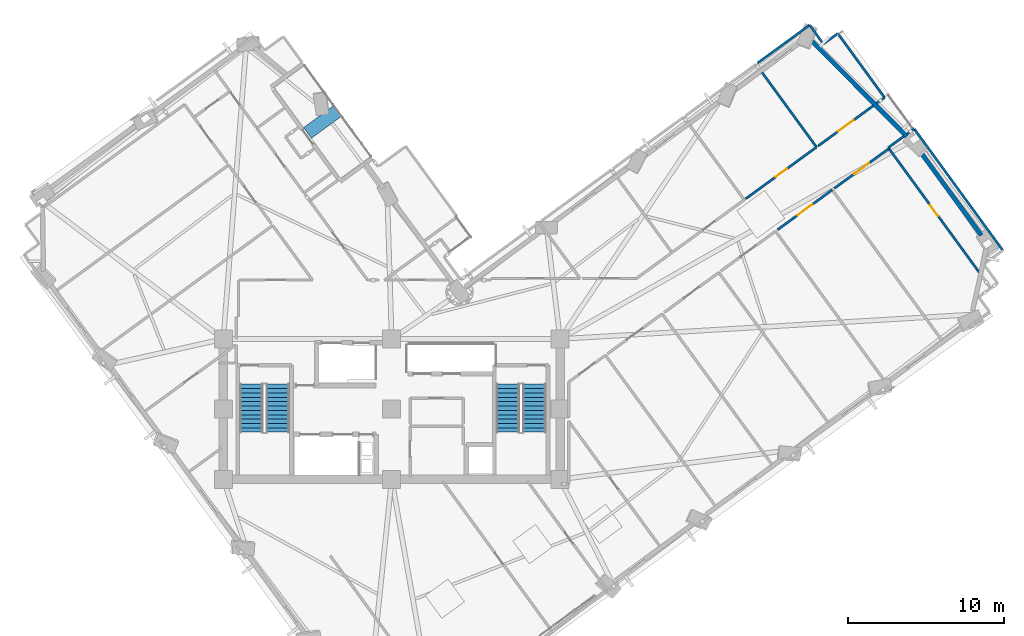
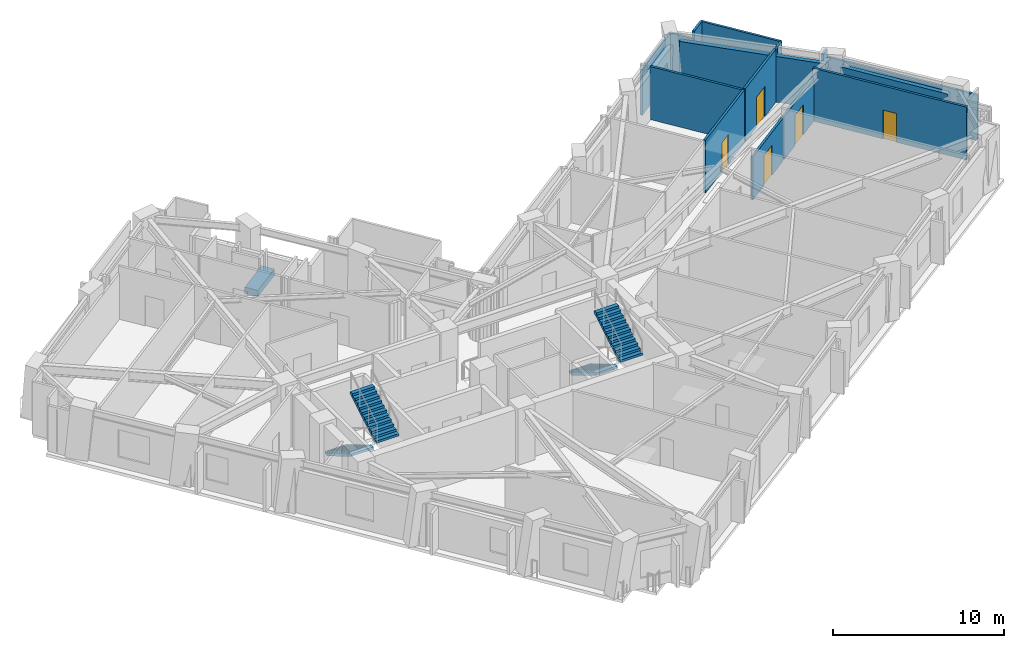
# One storey, part 9 of 14: 16 walls, 5 doors, 4 stair flights, 1 discrete accessory, 5 openings, 2 elements without a shape of their own.
"""IFC4 building model written with IfcOpenShell, lengths in metres."""

from ifc_helpers import new_model, si_unit, direction, frame, frame_2d, origin, origin_2d, place, context, subcontext, project, spatial, polyline, rectangle, outline, extrude, material, layer, layer_set, type_object, element, fill, aggregate, save


model = new_model("IFC4")

# Units and contexts
model_context = context("Model", 3, precision=1e-05, world=origin(), true_north=direction((0.0, 1.0)))
body_context = subcontext(model_context, "Body", "Model", "MODEL_VIEW")
ifc_project = project(units=[si_unit("LENGTHUNIT", "METRE"), si_unit("AREAUNIT", "SQUARE_METRE"), si_unit("VOLUMEUNIT", "CUBIC_METRE"), si_unit("PLANEANGLEUNIT", "RADIAN"), si_unit("MASSUNIT", "GRAM", prefix="KILO")], contexts=[model_context])

# Site, building, storey
site_placement = place(None, origin())
site = spatial("IfcSite", under=ifc_project, at=site_placement, CompositionType="ELEMENT")
building_placement = place(site_placement, origin())
building = spatial("IfcBuilding", under=site, at=building_placement, Name="Gaonmaruhae Medical Tower", CompositionType="ELEMENT")
storey_placement = place(building_placement, frame((0.0, 0.0, 177.800048828125)))
storey = spatial("IfcBuildingStorey", under=building, at=storey_placement, Name="L42", CompositionType="ELEMENT", Elevation=177.800048828125)

# Walls
ifc_material_1 = material(Name="Precast concrete C45/55", Category="concrete")
ifc_layer_1 = layer(ifc_material_1, 0.280029296875)
ifc_layer_set_1 = layer_set([ifc_layer_1], Name="Precast concrete C45/55")
wall_type_1 = type_object("IfcWallType", Name="EW-280 Upper Precast Masonry-Frame Facade Wall", PredefinedType="SOLIDWALL", material=ifc_layer_set_1)
wall_1_placement = place(storey_placement, frame((58.587890625, 28.97509765625, 0.0), z_axis=(0.0, 0.0, 1.0), x_axis=(0.589215364112, -0.807976023589, 0.0)))
element("IfcWall", 1, at=wall_1_placement, inside=storey, type_object=wall_type_1, Name="L42 Precast Masonry-Frame Wall E01-E02", PredefinedType="SOLIDWALL", context=body_context, shape_type="SweptSolid", body=[
    extrude(rectangle(XDim=6.840087890625, YDim=0.280029296875, at=frame_2d((3.419921875, 0.0))), origin(), (0.0, 0.0, 1.0), 3.264892578125),
])
wall_2_placement = place(storey_placement, frame((51.71240234375, 35.94189453125, 0.0), z_axis=(0.0, 0.0, 1.0), x_axis=(0.705765695185, -0.708445328519, 0.0)))
element("IfcWall", 2, at=wall_2_placement, inside=storey, type_object=wall_type_1, Name="L42 Precast Masonry-Frame Wall E02-E03", PredefinedType="SOLIDWALL", context=body_context, shape_type="SweptSolid", body=[
    extrude(rectangle(XDim=8.837646484375, YDim=0.280029296875, at=frame_2d((4.4189453125, 0.0))), origin(), (0.0, 0.0, 1.0), 3.264892578125),
])

# Wall, opening, door
ifc_material_2 = material(Name="Gypsum board partition", Category="gypsum")
ifc_layer_2 = layer(ifc_material_2, 0.14990234375)
ifc_layer_set_2 = layer_set([ifc_layer_2], Name="Gypsum board partition")
wall_type_2 = type_object("IfcWallType", Name="PW-150 Rated Clinical Corridor Partition", PredefinedType="PARTITIONING", material=ifc_layer_set_2)
wall_3_placement = place(storey_placement, frame((49.548095703125, 23.805908203125, 0.0), z_axis=(0.0, 0.0, 1.0), x_axis=(0.808000835419, 0.589181338776, 0.0)))
wall_3 = element("IfcWall", 3, at=wall_3_placement, inside=storey, type_object=wall_type_2, Name="L42 Interior Partition L42-SUP10-31", PredefinedType="PARTITIONING", context=body_context, shape_type="SweptSolid", body=[
    extrude(rectangle(XDim=4.340087890625, YDim=0.14990234375, at=frame_2d((2.169921875, 0.0))), origin(), (0.0, 0.0, 1.0), 3.06494140625),
])
opening_1_placement = place(wall_3_placement, frame((1.570068359375, 0.0, 0.0)))
opening_1 = element("IfcOpeningElement", 4, at=opening_1_placement, cuts=wall_3, Name="Opening CD-02", PredefinedType="OPENING", context=body_context, shape_type="SweptSolid", body=[
    extrude(rectangle(XDim=1.199951171875, YDim=2.14990234375, at=frame_2d((0.60009765625, 1.074951171875))), frame((0.0, 0.0849609375, 0.0), z_axis=(0.0, -1.0, 0.0), x_axis=(1.0, 0.0, 0.0)), (0.0, 0.0, 1.0), 0.169921875),
])
ifc_material_3 = material(Name="Antimicrobial laminate timber fire door", Category="wood")
door_type_1 = type_object("IfcDoorType", Name="CD-02 Clinical Treatment & Procedure Door 1200x2150", OperationType="NOTDEFINED", PredefinedType="DOOR", material=ifc_material_3)
door_1_placement = place(opening_1_placement, origin())
door_1 = element("IfcDoor", 5, at=door_1_placement, inside=storey, type_object=door_type_1, Name="L42 Clinical Biomedical Charting Office Door", OperationType="SINGLE_SWING_RIGHT", OverallHeight=2.14990234375, OverallWidth=1.199951171875, PredefinedType="DOOR", context=body_context, shape_type="SweptSolid", body=[
    extrude(rectangle(XDim=1.199951171875, YDim=2.14990234375, at=frame_2d((0.60009765625, 1.074951171875))), frame((0.0, 0.02490234375, 0.0), z_axis=(0.0, -1.0, 0.0), x_axis=(1.0, 0.0, 0.0)), (0.0, 0.0, 1.0), 0.050048828125),
])
fill(opening_1, door_1)

wall_4_placement = place(storey_placement, frame((53.18408203125, 26.45703125, 0.0), z_axis=(0.0, 0.0, 1.0), x_axis=(0.808027614648, 0.5891446121, 0.0)))
wall_4 = element("IfcWall", 6, at=wall_4_placement, inside=storey, type_object=wall_type_2, Name="L42 Interior Partition L42-SUP11-34", PredefinedType="PARTITIONING", context=body_context, shape_type="SweptSolid", body=[
    extrude(rectangle(XDim=4.340087890625, YDim=0.14990234375, at=frame_2d((2.169921875, 0.0))), origin(), (0.0, 0.0, 1.0), 3.06494140625),
])
opening_2_placement = place(wall_4_placement, frame((1.570068359375, 0.0, 0.0)))
opening_2 = element("IfcOpeningElement", 7, at=opening_2_placement, cuts=wall_4, Name="Opening CD-02", PredefinedType="OPENING", context=body_context, shape_type="SweptSolid", body=[
    extrude(rectangle(XDim=1.199951171875, YDim=2.14990234375, at=frame_2d((0.60009765625, 1.074951171875))), frame((0.0, 0.0849609375, 0.0), z_axis=(0.0, -1.0, 0.0), x_axis=(1.0, 0.0, 0.0)), (0.0, 0.0, 1.0), 0.169921875),
])
door_2_placement = place(opening_2_placement, origin())
door_2 = element("IfcDoor", 8, at=door_2_placement, inside=storey, type_object=door_type_1, Name="L42 Clinical Biomedical Charting Office Door", OperationType="SINGLE_SWING_LEFT", OverallHeight=2.14990234375, OverallWidth=1.199951171875, PredefinedType="DOOR", context=body_context, shape_type="SweptSolid", body=[
    extrude(rectangle(XDim=1.199951171875, YDim=2.14990234375, at=frame_2d((0.60009765625, 1.074951171875))), frame((0.0, 0.02490234375, 0.0), z_axis=(0.0, -1.0, 0.0), x_axis=(1.0, 0.0, 0.0)), (0.0, 0.0, 1.0), 0.050048828125),
])
fill(opening_2, door_2)

wall_5_placement = place(storey_placement, frame((56.69091796875, 29.013916015625, 0.0), z_axis=(0.0, 0.0, 1.0), x_axis=(0.589193100836, -0.807992258582, 0.0)))
wall_5 = element("IfcWall", 9, at=wall_5_placement, inside=storey, type_object=wall_type_2, Name="L42 Interior Partition L42-SUP11-35", PredefinedType="PARTITIONING", context=body_context, shape_type="SweptSolid", body=[
    extrude(rectangle(XDim=9.830322265625, YDim=0.14990234375, at=frame_2d((4.9150390625, 0.0))), origin(), (0.0, 0.0, 1.0), 3.780029296875),
])
opening_3_placement = place(wall_5_placement, frame((4.485107421875, 0.0, 0.0)))
opening_3 = element("IfcOpeningElement", 10, at=opening_3_placement, cuts=wall_5, Name="Opening AD-01", PredefinedType="OPENING", context=body_context, shape_type="SweptSolid", body=[
    extrude(rectangle(XDim=0.860107421875, YDim=2.06005859375, at=frame_2d((0.43017578125, 1.030029296875))), frame((0.0, 0.0849609375, 0.0), z_axis=(0.0, -1.0, 0.0), x_axis=(1.0, 0.0, 0.0)), (0.0, 0.0, 1.0), 0.169921875),
])
ifc_material_4 = material(Name="Powder-coated steel access door", Category="steel")
door_type_2 = type_object("IfcDoorType", Name="AD-01 Riser & Closet Access Fire Door 860x2060", OperationType="NOTDEFINED", PredefinedType="DOOR", material=ifc_material_4)
door_3_placement = place(opening_3_placement, origin())
door_3 = element("IfcDoor", 11, at=door_3_placement, inside=storey, type_object=door_type_2, Name="L42 Clinical Case Review Office Sliding Door", OperationType="SLIDING_TO_LEFT", OverallHeight=2.06005859375, OverallWidth=0.860107421875, PredefinedType="DOOR", context=body_context, shape_type="SweptSolid", body=[
    extrude(rectangle(XDim=0.860107421875, YDim=2.06005859375, at=frame_2d((0.43017578125, 1.030029296875))), frame((0.0, 0.02490234375, 0.0), z_axis=(0.0, -1.0, 0.0), x_axis=(1.0, 0.0, 0.0)), (0.0, 0.0, 1.0), 0.050048828125),
])
fill(opening_3, door_3)

wall_6_placement = place(storey_placement, frame((52.0458984375, 29.10498046875, 0.0), z_axis=(0.0, 0.0, 1.0), x_axis=(-0.807964856264, -0.589230677275, 0.0)))
wall_6 = element("IfcWall", 12, at=wall_6_placement, inside=storey, type_object=wall_type_2, Name="L42 Interior Partition L42-IE05-88", PredefinedType="PARTITIONING", context=body_context, shape_type="SweptSolid", body=[
    extrude(rectangle(XDim=5.61767578125, YDim=0.14990234375, at=frame_2d((2.808837890625, 0.0))), origin(), (0.0, 0.0, 1.0), 3.780029296875),
])
opening_4_placement = place(wall_6_placement, frame((2.348876953125, 0.0, 0.0)))
opening_4 = element("IfcOpeningElement", 13, at=opening_4_placement, cuts=wall_6, Name="Opening UD-01", PredefinedType="OPENING", context=body_context, shape_type="SweptSolid", body=[
    extrude(rectangle(XDim=0.919921875, YDim=2.10009765625, at=frame_2d((0.4599609375, 1.050048828125))), frame((0.0, 0.0849609375, 0.0), z_axis=(0.0, -1.0, 0.0), x_axis=(1.0, 0.0, 0.0)), (0.0, 0.0, 1.0), 0.169921875),
])
ifc_material_5 = material(Name="Powder-coated steel utility door", Category="steel")
door_type_3 = type_object("IfcDoorType", Name="UD-01 Toilet, Utility & Housekeeping Door 920x2100", OperationType="NOTDEFINED", PredefinedType="DOOR", material=ifc_material_5)
door_4_placement = place(opening_4_placement, origin())
door_4 = element("IfcDoor", 14, at=door_4_placement, inside=storey, type_object=door_type_3, Name="L42 Ward Housekeeping and Linen Store Door", OperationType="SINGLE_SWING_LEFT", OverallHeight=2.10009765625, OverallWidth=0.919921875, PredefinedType="DOOR", context=body_context, shape_type="SweptSolid", body=[
    extrude(rectangle(XDim=0.919921875, YDim=2.10009765625, at=frame_2d((0.4599609375, 1.050048828125))), frame((0.0, 0.02490234375, 0.0), z_axis=(0.0, -1.0, 0.0), x_axis=(1.0, 0.0, 0.0)), (0.0, 0.0, 1.0), 0.050048828125),
])
fill(opening_4, door_4)

# Walls
wall_7_placement = place(storey_placement, frame((48.554931640625, 33.89208984375, 0.0), z_axis=(0.0, 0.0, 1.0), x_axis=(0.58921251088, -0.807978104296, 0.0)))
element("IfcWall", 15, at=wall_7_placement, inside=storey, type_object=wall_type_2, Name="L42 Interior Partition L42-IE05-91", PredefinedType="PARTITIONING", context=body_context, shape_type="SweptSolid", body=[
    extrude(rectangle(XDim=5.9248046875, YDim=0.14990234375, at=frame_2d((2.96240234375, 0.0))), origin(), (0.0, 0.0, 1.0), 3.780029296875),
])
wall_8_placement = place(storey_placement, frame((52.489013671875, 35.72705078125, 0.0), z_axis=(0.0, 0.0, 1.0), x_axis=(0.807846068896, 0.589393526406, 0.0)))
element("IfcWall", 16, at=wall_8_placement, inside=storey, type_object=wall_type_2, Name="L42 Interior Partition L42-IE06-92", PredefinedType="PARTITIONING", context=body_context, shape_type="SweptSolid", body=[
    extrude(rectangle(XDim=1.139892578125, YDim=0.14990234375, at=frame_2d((0.56982421875, 0.0))), origin(), (0.0, 0.0, 1.0), 3.780029296875),
])
wall_9_placement = place(storey_placement, frame((53.409912109375, 36.39892578125, 0.0), z_axis=(0.0, 0.0, 1.0), x_axis=(0.589163676768, -0.808013713978, 0.0)))
element("IfcWall", 17, at=wall_9_placement, inside=storey, type_object=wall_type_2, Name="L42 Interior Partition L42-IE06-93", PredefinedType="PARTITIONING", context=body_context, shape_type="SweptSolid", body=[
    extrude(rectangle(XDim=5.09033203125, YDim=0.14990234375, at=frame_2d((2.545166015625, 0.0))), origin(), (0.0, 0.0, 1.0), 3.780029296875),
])
wall_10_placement = place(storey_placement, frame((56.408935546875, 32.285888671875, 0.0), z_axis=(0.0, 0.0, 1.0), x_axis=(-0.807943178847, -0.589260400633, 0.0)))
element("IfcWall", 18, at=wall_10_placement, inside=storey, type_object=wall_type_2, Name="L42 Interior Partition L42-IE06-94", PredefinedType="PARTITIONING", context=body_context, shape_type="SweptSolid", body=[
    extrude(rectangle(XDim=0.6396484375, YDim=0.14990234375, at=frame_2d((0.31982421875, 0.0))), origin(), (0.0, 0.0, 1.0), 3.780029296875),
])

# Wall, opening, door
wall_11_placement = place(storey_placement, frame((55.7041015625, 31.77197265625, 0.0), z_axis=(0.0, 0.0, 1.0), x_axis=(-0.80804817544, -0.589116411389, 0.0)))
wall_11 = element("IfcWall", 19, at=wall_11_placement, inside=storey, type_object=wall_type_2, Name="L42 Interior Partition L42-IE06-95", PredefinedType="PARTITIONING", context=body_context, shape_type="SweptSolid", body=[
    extrude(rectangle(XDim=4.408203125, YDim=0.14990234375, at=frame_2d((2.2041015625, 0.0))), origin(), (0.0, 0.0, 1.0), 3.780029296875),
])
opening_5_placement = place(wall_11_placement, frame((1.60400390625, 0.0, 0.0)))
opening_5 = element("IfcOpeningElement", 20, at=opening_5_placement, cuts=wall_11, Name="Opening CD-02", PredefinedType="OPENING", context=body_context, shape_type="SweptSolid", body=[
    extrude(rectangle(XDim=1.199951171875, YDim=2.14990234375, at=frame_2d((0.60009765625, 1.074951171875))), frame((0.0, 0.0849609375, 0.0), z_axis=(0.0, -1.0, 0.0), x_axis=(1.0, 0.0, 0.0)), (0.0, 0.0, 1.0), 0.169921875),
])
door_5_placement = place(opening_5_placement, origin())
door_5 = element("IfcDoor", 21, at=door_5_placement, inside=storey, type_object=door_type_1, Name="L42 Multidisciplinary Clinical Consultation Room Door", OperationType="SINGLE_SWING_LEFT", OverallHeight=2.14990234375, OverallWidth=1.199951171875, PredefinedType="DOOR", context=body_context, shape_type="SweptSolid", body=[
    extrude(rectangle(XDim=1.199951171875, YDim=2.14990234375, at=frame_2d((0.60009765625, 1.074951171875))), frame((0.0, 0.02490234375, 0.0), z_axis=(0.0, -1.0, 0.0), x_axis=(1.0, 0.0, 0.0)), (0.0, 0.0, 1.0), 0.050048828125),
])
fill(opening_5, door_5)

# Walls
wall_12_placement = place(storey_placement, frame((48.260009765625, 34.5, 0.0), z_axis=(0.0, 0.0, 1.0), x_axis=(0.80801630368, 0.589160125083, 0.0)))
element("IfcWall", 22, at=wall_12_placement, inside=storey, type_object=wall_type_2, Name="L42 Interior Partition L42-IE06-96", PredefinedType="PARTITIONING", context=body_context, shape_type="SweptSolid", body=[
    extrude(rectangle(XDim=4.1396484375, YDim=0.14990234375, at=frame_2d((2.06982421875, 0.0))), origin(), (0.0, 0.0, 1.0), 3.264892578125),
])
wall_13_placement = place(storey_placement, frame((51.60498046875, 36.93896484375, 0.0), z_axis=(0.0, 0.0, 1.0), x_axis=(0.589322677246, -0.807897754722, 0.0)))
element("IfcWall", 23, at=wall_13_placement, inside=storey, type_object=wall_type_2, Name="L42 Interior Partition L42-IE06-97", PredefinedType="PARTITIONING", context=body_context, shape_type="SweptSolid", body=[
    extrude(rectangle(XDim=1.5, YDim=0.14990234375, at=frame_2d((0.75, 0.0))), origin(), (0.0, 0.0, 1.0), 3.264892578125),
])
wall_14_placement = place(storey_placement, frame((56.64990234375, 29.071044921875, 0.0), z_axis=(0.0, 0.0, 1.0), x_axis=(0.808052040035, 0.589111110569, 0.0)))
element("IfcWall", 24, at=wall_14_placement, inside=storey, type_object=wall_type_2, Name="L42 Interior Partition L42-RM05-123", PredefinedType="PARTITIONING", context=body_context, shape_type="SweptSolid", body=[
    extrude(rectangle(XDim=1.251220703125, YDim=0.14990234375, at=frame_2d((0.62548828125, 0.0))), origin(), (0.0, 0.0, 1.0), 3.06494140625),
])
wall_15_placement = place(storey_placement, frame((57.84912109375, 29.945068359375, 0.0), z_axis=(0.0, 0.0, 1.0), x_axis=(0.808074872367, 0.589079791411, 0.0)))
element("IfcWall", 25, at=wall_15_placement, inside=storey, type_object=wall_type_2, Name="L42 Interior Partition L42-RM05-124", PredefinedType="PARTITIONING", context=body_context, shape_type="SweptSolid", body=[
    extrude(rectangle(XDim=0.5751953125, YDim=0.14990234375, at=frame_2d((0.28759765625, 0.0))), origin(), (0.0, 0.0, 1.0), 3.780029296875),
])
wall_16_placement = place(storey_placement, frame((58.31396484375, 30.283935546875, 0.0), z_axis=(0.0, 0.0, 1.0), x_axis=(0.589175591652, -0.8080050261, 0.0)))
element("IfcWall", 26, at=wall_16_placement, inside=storey, type_object=wall_type_2, Name="L42 Interior Partition L42-RM05-125", PredefinedType="PARTITIONING", context=body_context, shape_type="SweptSolid", body=[
    extrude(rectangle(XDim=9.66943359375, YDim=0.14990234375, at=frame_2d((4.834716796875, 0.0))), origin(), (0.0, 0.0, 1.0), 3.264892578125),
])

# Stair, stair flights
ifc_material_6 = material(Name="Concrete C40/50", Category="concrete")
stair_type = type_object("IfcStairType", Name="ST-T1 Primary Core Escape Dogleg Stair", PredefinedType="TWO_QUARTER_TURN_STAIR", material=ifc_material_6)
stair_1_placement = place(storey_placement, origin())
stair_1 = element("IfcStair", 27, at=stair_1_placement, inside=storey, type_object=stair_type, Name="L42 Protected Escape Stair ST-01", PredefinedType="TWO_QUARTER_TURN_STAIR")
stair_flight_type = type_object("IfcStairFlightType", Name="SF-T1 Primary Core Precast Stair Flight", PredefinedType="STRAIGHT", material=ifc_material_6)
stair_flight_1_placement = place(storey_placement, frame((15.800048828125, 13.89990234375, 0.0), z_axis=(0.0, 0.0, 1.0), x_axis=(0.0, -1.0, 0.0)))
stair_flight_1 = element("IfcStairFlight", 28, at=stair_flight_1_placement, type_object=stair_flight_type, Name="ST-01 flight 1", NumberOfRisers=12, NumberOfTreads=11, PredefinedType="STRAIGHT", RiserHeight=0.166666667, TreadLength=0.28, context=body_context, shape_type="SweptSolid", body=[
    extrude(outline(polyline([(0.0, 0.0), (0.0, 0.166748046875), (0.280029296875, 0.166748046875), (0.280029296875, 0.333251953125), (0.56005859375, 0.333251953125), (0.56005859375, 0.5), (0.840087890625, 0.5), (0.840087890625, 0.666748046875), (1.1201171875, 0.666748046875), (1.1201171875, 0.833251953125), (1.39990234375, 0.833251953125), (1.39990234375, 1.0), (1.679931640625, 1.0), (1.679931640625, 1.166748046875), (1.9599609375, 1.166748046875), (1.9599609375, 1.333251953125), (2.239990234375, 1.333251953125), (2.239990234375, 1.5), (2.52001953125, 1.5), (2.52001953125, 1.666748046875), (2.800048828125, 1.666748046875), (2.800048828125, 1.833251953125), (3.080078125, 1.833251953125), (3.080078125, 2.0), (3.080078125, 1.658935546875), (0.29296875, 0.0), (0.0, 0.0)])), frame((0.0, 0.75, 0.0), z_axis=(0.0, -1.0, 0.0), x_axis=(1.0, 0.0, 0.0)), (0.0, 0.0, 1.0), 1.5),
])
stair_flight_2_placement = place(storey_placement, frame((17.5, 10.820068359375, 2.0), z_axis=(0.0, 0.0, 1.0), x_axis=(0.0, 1.0, 0.0)))
stair_flight_2 = element("IfcStairFlight", 29, at=stair_flight_2_placement, type_object=stair_flight_type, Name="ST-01 flight 2", NumberOfRisers=12, NumberOfTreads=11, PredefinedType="STRAIGHT", RiserHeight=0.166666667, TreadLength=0.28, context=body_context, shape_type="SweptSolid", body=[
    extrude(outline(polyline([(0.0, 0.0), (0.0, 0.166748046875), (0.280029296875, 0.166748046875), (0.280029296875, 0.333251953125), (0.56005859375, 0.333251953125), (0.56005859375, 0.5), (0.840087890625, 0.5), (0.840087890625, 0.666748046875), (1.1201171875, 0.666748046875), (1.1201171875, 0.833251953125), (1.39990234375, 0.833251953125), (1.39990234375, 1.0), (1.679931640625, 1.0), (1.679931640625, 1.166748046875), (1.9599609375, 1.166748046875), (1.9599609375, 1.333251953125), (2.239990234375, 1.333251953125), (2.239990234375, 1.5), (2.52001953125, 1.5), (2.52001953125, 1.666748046875), (2.800048828125, 1.666748046875), (2.800048828125, 1.833251953125), (3.080078125, 1.833251953125), (3.080078125, 2.0), (3.080078125, 1.658935546875), (0.29296875, 0.0), (0.0, 0.0)])), frame((0.0, 0.75, 0.0), z_axis=(0.0, -1.0, 0.0), x_axis=(1.0, 0.0, 0.0)), (0.0, 0.0, 1.0), 1.5),
])
aggregate(stair_1, [stair_flight_1, stair_flight_2])

stair_2_placement = place(storey_placement, origin())
stair_2 = element("IfcStair", 30, at=stair_2_placement, inside=storey, type_object=stair_type, Name="L42 Protected Escape Stair ST-02", PredefinedType="TWO_QUARTER_TURN_STAIR")
stair_flight_3_placement = place(storey_placement, frame((32.25, 13.89990234375, 0.0), z_axis=(0.0, 0.0, 1.0), x_axis=(0.0, -1.0, 0.0)))
stair_flight_3 = element("IfcStairFlight", 31, at=stair_flight_3_placement, type_object=stair_flight_type, Name="ST-02 flight 1", NumberOfRisers=12, NumberOfTreads=11, PredefinedType="STRAIGHT", RiserHeight=0.166666667, TreadLength=0.28, context=body_context, shape_type="SweptSolid", body=[
    extrude(outline(polyline([(0.0, 0.0), (0.0, 0.166748046875), (0.280029296875, 0.166748046875), (0.280029296875, 0.333251953125), (0.56005859375, 0.333251953125), (0.56005859375, 0.5), (0.840087890625, 0.5), (0.840087890625, 0.666748046875), (1.1201171875, 0.666748046875), (1.1201171875, 0.833251953125), (1.39990234375, 0.833251953125), (1.39990234375, 1.0), (1.679931640625, 1.0), (1.679931640625, 1.166748046875), (1.9599609375, 1.166748046875), (1.9599609375, 1.333251953125), (2.239990234375, 1.333251953125), (2.239990234375, 1.5), (2.52001953125, 1.5), (2.52001953125, 1.666748046875), (2.800048828125, 1.666748046875), (2.800048828125, 1.833251953125), (3.080078125, 1.833251953125), (3.080078125, 2.0), (3.080078125, 1.658935546875), (0.29296875, 0.0), (0.0, 0.0)])), frame((0.0, 0.75, 0.0), z_axis=(0.0, -1.0, 0.0), x_axis=(1.0, 0.0, 0.0)), (0.0, 0.0, 1.0), 1.5),
])
stair_flight_4_placement = place(storey_placement, frame((33.949951171875, 10.820068359375, 2.0), z_axis=(0.0, 0.0, 1.0), x_axis=(0.0, 1.0, 0.0)))
stair_flight_4 = element("IfcStairFlight", 32, at=stair_flight_4_placement, type_object=stair_flight_type, Name="ST-02 flight 2", NumberOfRisers=12, NumberOfTreads=11, PredefinedType="STRAIGHT", RiserHeight=0.166666667, TreadLength=0.28, context=body_context, shape_type="SweptSolid", body=[
    extrude(outline(polyline([(0.0, 0.0), (0.0, 0.166748046875), (0.280029296875, 0.166748046875), (0.280029296875, 0.333251953125), (0.56005859375, 0.333251953125), (0.56005859375, 0.5), (0.840087890625, 0.5), (0.840087890625, 0.666748046875), (1.1201171875, 0.666748046875), (1.1201171875, 0.833251953125), (1.39990234375, 0.833251953125), (1.39990234375, 1.0), (1.679931640625, 1.0), (1.679931640625, 1.166748046875), (1.9599609375, 1.166748046875), (1.9599609375, 1.333251953125), (2.239990234375, 1.333251953125), (2.239990234375, 1.5), (2.52001953125, 1.5), (2.52001953125, 1.666748046875), (2.800048828125, 1.666748046875), (2.800048828125, 1.833251953125), (3.080078125, 1.833251953125), (3.080078125, 2.0), (3.080078125, 1.658935546875), (0.29296875, 0.0), (0.0, 0.0)])), frame((0.0, 0.75, 0.0), z_axis=(0.0, -1.0, 0.0), x_axis=(1.0, 0.0, 0.0)), (0.0, 0.0, 1.0), 1.5),
])
aggregate(stair_2, [stair_flight_3, stair_flight_4])

# Discrete accessory
discrete_accessory_type = type_object("IfcDiscreteAccessoryType", Name="PLN-01 Sky Garden Precast Botanical Planter", PredefinedType="USERDEFINED", material=ifc_material_1)
discrete_accessory_placement = place(storey_placement, frame((20.36865234375, 30.724609375, 0.0), z_axis=(0.0, 0.0, 1.0), x_axis=(0.807989883898, 0.589196357353, 0.0)))
element("IfcDiscreteAccessory", 33, at=discrete_accessory_placement, inside=storey, type_object=discrete_accessory_type, Name="L42 Sky Garden Botanical Planter SLB-L42-TER", ObjectType="PLANTER", PredefinedType="USERDEFINED", context=body_context, shape_type="SweptSolid", body=[
    extrude(rectangle(XDim=2.39990234375, YDim=0.85009765625, at=origin_2d()), origin(), (0.0, 0.0, 1.0), 0.449951171875),
])

save(model, "model.ifc")
